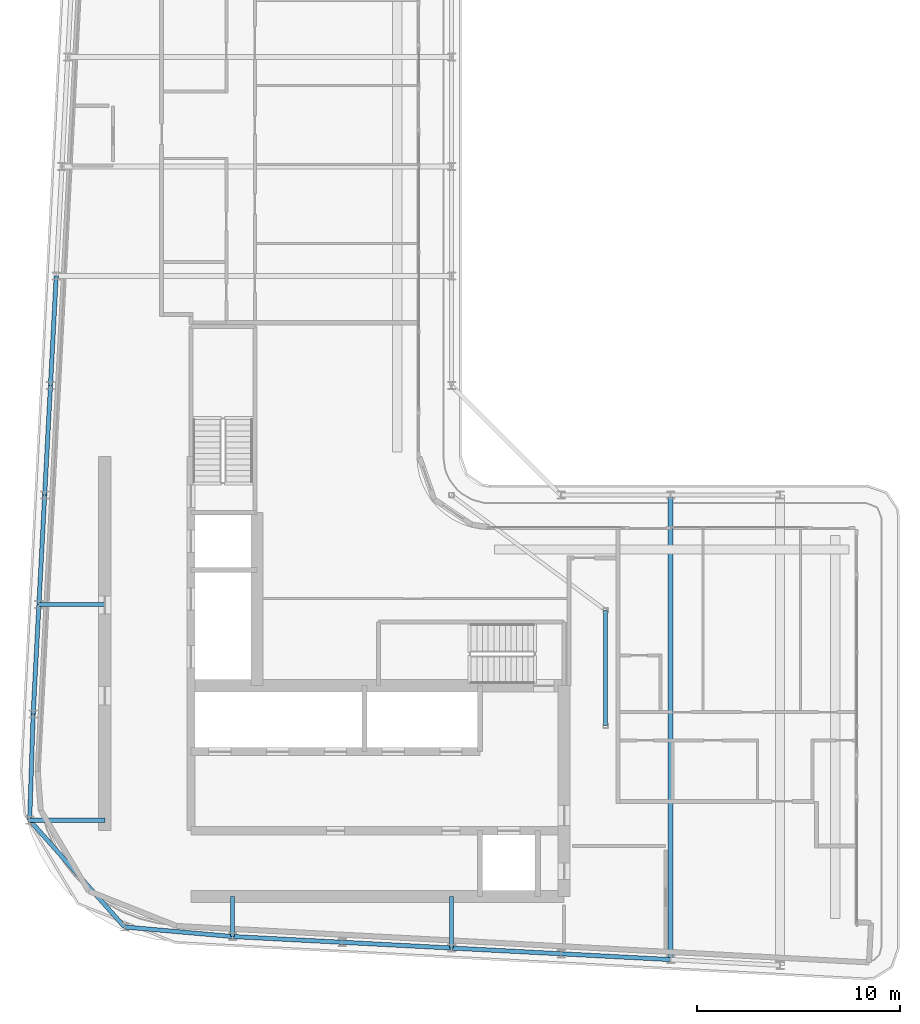
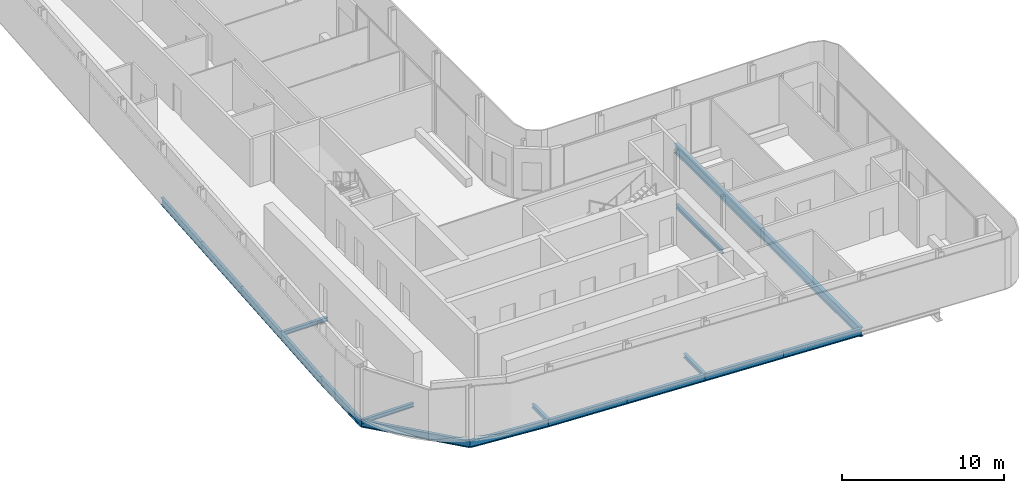
# One storey, part 5 of 21: 17 beams.
"""IFC4 building model written with IfcOpenShell, lengths in metres."""

from ifc_helpers import new_model, si_unit, direction, frame, origin, origin_2d, place, context, subcontext, project, spatial, i_section, extrude, material, material_profile, profile_set, type_object, element, save


model = new_model("IFC4")

# Units and contexts
model_context = context("Model", 3, precision=1e-05, world=origin(), true_north=direction((0.0, 1.0)))
body_context = subcontext(model_context, "Body", "Model", "MODEL_VIEW")
ifc_project = project(units=[si_unit("LENGTHUNIT", "METRE"), si_unit("AREAUNIT", "SQUARE_METRE"), si_unit("VOLUMEUNIT", "CUBIC_METRE"), si_unit("PLANEANGLEUNIT", "RADIAN"), si_unit("MASSUNIT", "GRAM", prefix="KILO")], contexts=[model_context])

# Site, building, storey
site_placement = place(None, origin())
site = spatial("IfcSite", under=ifc_project, at=site_placement, CompositionType="ELEMENT")
building_placement = place(site_placement, origin())
building = spatial("IfcBuilding", under=site, at=building_placement, Name="Kheshtan School and Residences Tower", CompositionType="ELEMENT")
storey_placement = place(building_placement, frame((0.0, 0.0, 321.5)))
storey = spatial("IfcBuildingStorey", under=building, at=storey_placement, Name="L76", CompositionType="ELEMENT", Elevation=321.5)

# Beams
ifc_material = material(Name="Steel ASTM A992 Grade 50", Category="steel")
ifc_material_profile_1 = material_profile(ifc_material, i_section(OverallWidth=0.202880859375, OverallDepth=0.302978515625, WebThickness=0.007568359375, FlangeThickness=0.01318359375, FilletRadius=0.009033203125, at=origin_2d()), Name="W310x60")
ifc_profile_set_1 = profile_set([ifc_material_profile_1], Name="Steel ASTM A992 Grade 50")
beam_type_1 = type_object("IfcBeamType", Name="Beam FB1 W310x60 ASTM A992 Grade 50", PredefinedType="BEAM", material=ifc_profile_set_1)
beam_1_placement = place(storey_placement, frame((47.60009765625, 23.263916015625, -0.301513671875), z_axis=(0.0, 1.0, 0.0), x_axis=(-1.0, 0.0, 0.0)))
element("IfcBeam", 1, at=beam_1_placement, inside=storey, type_object=beam_type_1, Name="Floor beam C020", PredefinedType="BEAM", context=body_context, shape_type="SweptSolid", body=[
    extrude(i_section(OverallWidth=0.202880859375, OverallDepth=0.302978515625, WebThickness=0.007568359375, FlangeThickness=0.01318359375, FilletRadius=0.009033203125, at=origin_2d()), origin(), (0.0, 0.0, 1.0), 2.5361328125),
])
beam_2_placement = place(storey_placement, frame((36.800048828125, 23.83203125, -0.301513671875), z_axis=(0.0, 1.0, 0.0), x_axis=(-1.0, 0.0, 0.0)))
element("IfcBeam", 2, at=beam_2_placement, inside=storey, type_object=beam_type_1, Name="Floor beam C022", PredefinedType="BEAM", context=body_context, shape_type="SweptSolid", body=[
    extrude(i_section(OverallWidth=0.202880859375, OverallDepth=0.302978515625, WebThickness=0.007568359375, FlangeThickness=0.01318359375, FilletRadius=0.009033203125, at=origin_2d()), origin(), (0.0, 0.0, 1.0), 1.968017578125),
])
beam_3_placement = place(storey_placement, frame((26.797119140625, 29.56591796875, -0.301513671875), z_axis=(1.0, 0.0, 0.0), x_axis=(0.0, 1.0, 0.0)))
element("IfcBeam", 3, at=beam_3_placement, inside=storey, type_object=beam_type_1, Name="Floor beam C044", PredefinedType="BEAM", context=body_context, shape_type="SweptSolid", body=[
    extrude(i_section(OverallWidth=0.202880859375, OverallDepth=0.302978515625, WebThickness=0.007568359375, FlangeThickness=0.01318359375, FilletRadius=0.009033203125, at=origin_2d()), origin(), (0.0, 0.0, 1.0), 3.702880859375),
])
beam_4_placement = place(storey_placement, frame((27.2529296875, 40.199951171875, -0.301513671875), z_axis=(1.0, 0.0, 0.0), x_axis=(0.0, 1.0, 0.0)))
element("IfcBeam", 4, at=beam_4_placement, inside=storey, type_object=beam_type_1, Name="Floor beam C056", PredefinedType="BEAM", context=body_context, shape_type="SweptSolid", body=[
    extrude(i_section(OverallWidth=0.202880859375, OverallDepth=0.302978515625, WebThickness=0.007568359375, FlangeThickness=0.01318359375, FilletRadius=0.009033203125, at=origin_2d()), origin(), (0.0, 0.0, 1.0), 3.2470703125),
])
beam_5_placement = place(storey_placement, frame((55.199951171875, 34.23193359375, -0.301513671875), z_axis=(0.0, 1.0, 0.0), x_axis=(-1.0, 0.0, 0.0)))
element("IfcBeam", 5, at=beam_5_placement, inside=storey, type_object=beam_type_1, Name="Floor beam IC", PredefinedType="BEAM", context=body_context, shape_type="SweptSolid", body=[
    extrude(i_section(OverallWidth=0.202880859375, OverallDepth=0.302978515625, WebThickness=0.007568359375, FlangeThickness=0.01318359375, FilletRadius=0.009033203125, at=origin_2d()), origin(), (0.0, 0.0, 1.0), 5.68408203125),
])
ifc_material_profile_2 = material_profile(ifc_material, i_section(OverallWidth=0.2529296875, OverallDepth=0.677978515625, WebThickness=0.01171875, FlangeThickness=0.016357421875, FilletRadius=0.0146484375, at=origin_2d()), Name="W690x125")
ifc_profile_set_2 = profile_set([ifc_material_profile_2], Name="Steel ASTM A992 Grade 50")
beam_type_2 = type_object("IfcBeamType", Name="Beam FB6 W690x125 ASTM A992 Grade 50", PredefinedType="BEAM", material=ifc_profile_set_2)
beam_6_placement = place(storey_placement, frame((58.39990234375, 22.695068359375, -0.489013671875), z_axis=(0.0, 1.0, 0.0), x_axis=(-1.0, 0.0, 0.0)))
element("IfcBeam", 6, at=beam_6_placement, inside=storey, type_object=beam_type_2, Name="Floor beam C018", PredefinedType="BEAM", context=body_context, shape_type="SweptSolid", body=[
    extrude(i_section(OverallWidth=0.2529296875, OverallDepth=0.677978515625, WebThickness=0.01171875, FlangeThickness=0.016357421875, FilletRadius=0.0146484375, at=origin_2d()), origin(), (0.0, 0.0, 1.0), 22.905029296875),
])
ifc_material_profile_3 = material_profile(ifc_material, i_section(OverallWidth=0.208984375, OverallDepth=0.532958984375, WebThickness=0.01025390625, FlangeThickness=0.015625, FilletRadius=0.013916015625, at=origin_2d()), Name="W530x92")
ifc_profile_set_3 = profile_set([ifc_material_profile_3], Name="Steel ASTM A992 Grade 50")
beam_type_3 = type_object("IfcBeamType", Name="Beam SP3 W530x92 ASTM A992 Grade 50", PredefinedType="BEAM", material=ifc_profile_set_3)
for number, where, z_axis, x_axis, name in (
    (7, (58.39990234375, 22.695068359375, -0.41650390625), (-0.998610961136, 0.052689166816, 0.0), (-0.052689166816, -0.998610961136, 0.0), "Spandrel beam C018-C019"),
    (8, (53.0, 22.97998046875, -0.41650390625), (-0.998620447272, 0.05250906864, 0.0), (-0.05250906864, -0.998620447272, 0.0), "Spandrel beam C019-C020"),
):
    element("IfcBeam", number, at=place(storey_placement, frame(where, z_axis=z_axis, x_axis=x_axis)), inside=storey, type_object=beam_type_3, Name=name, PredefinedType="BEAM", context=body_context, shape_type="SweptSolid", body=[
        extrude(i_section(OverallWidth=0.208984375, OverallDepth=0.532958984375, WebThickness=0.01025390625, FlangeThickness=0.015625, FilletRadius=0.013916015625, at=origin_2d()), origin(), (0.0, 0.0, 1.0), 5.407470703125),
    ])
beam_7_placement = place(storey_placement, frame((47.60009765625, 23.263916015625, -0.41650390625), z_axis=(-0.998618203458, 0.052551724256, 0.0), x_axis=(-0.052551724256, -0.998618203458, 0.0)))
element("IfcBeam", 9, at=beam_7_placement, inside=storey, type_object=beam_type_3, Name="Spandrel beam C020-C021", PredefinedType="BEAM", context=body_context, shape_type="SweptSolid", body=[
    extrude(i_section(OverallWidth=0.208984375, OverallDepth=0.532958984375, WebThickness=0.01025390625, FlangeThickness=0.015625, FilletRadius=0.013916015625, at=origin_2d()), origin(), (0.0, 0.0, 1.0), 5.40771484375),
])
beam_8_placement = place(storey_placement, frame((42.199951171875, 23.548095703125, -0.41650390625), z_axis=(-0.998620447272, 0.05250906864, 0.0), x_axis=(-0.05250906864, -0.998620447272, 0.0)))
element("IfcBeam", 10, at=beam_8_placement, inside=storey, type_object=beam_type_3, Name="Spandrel beam C021-C022", PredefinedType="BEAM", context=body_context, shape_type="SweptSolid", body=[
    extrude(i_section(OverallWidth=0.208984375, OverallDepth=0.532958984375, WebThickness=0.01025390625, FlangeThickness=0.015625, FilletRadius=0.013916015625, at=origin_2d()), origin(), (0.0, 0.0, 1.0), 5.407470703125),
])
beam_9_placement = place(storey_placement, frame((36.800048828125, 23.83203125, -0.41650390625), z_axis=(-0.996129262073, 0.087900473504, 0.0), x_axis=(-0.087900473504, -0.996129262073, 0.0)))
element("IfcBeam", 11, at=beam_9_placement, inside=storey, type_object=beam_type_3, Name="Spandrel beam C022-C031", PredefinedType="BEAM", context=body_context, shape_type="SweptSolid", body=[
    extrude(i_section(OverallWidth=0.208984375, OverallDepth=0.532958984375, WebThickness=0.01025390625, FlangeThickness=0.015625, FilletRadius=0.013916015625, at=origin_2d()), origin(), (0.0, 0.0, 1.0), 5.3466796875),
])
beam_10_placement = place(storey_placement, frame((31.47412109375, 24.302001953125, -0.41650390625), z_axis=(-0.664202421408, 0.747552769639, 0.0), x_axis=(-0.747552769639, -0.664202421408, 0.0)))
element("IfcBeam", 12, at=beam_10_placement, inside=storey, type_object=beam_type_3, Name="Spandrel beam C031-C044", PredefinedType="BEAM", context=body_context, shape_type="SweptSolid", body=[
    extrude(i_section(OverallWidth=0.208984375, OverallDepth=0.532958984375, WebThickness=0.01025390625, FlangeThickness=0.015625, FilletRadius=0.013916015625, at=origin_2d()), origin(), (0.0, 0.0, 1.0), 7.04150390625),
])
beam_11_placement = place(storey_placement, frame((26.797119140625, 29.56591796875, -0.41650390625), z_axis=(0.032819662671, 0.999461289767, 0.0), x_axis=(-0.999461289767, 0.032819662671, 0.0)))
element("IfcBeam", 13, at=beam_11_placement, inside=storey, type_object=beam_type_3, Name="Spandrel beam C044-C052", PredefinedType="BEAM", context=body_context, shape_type="SweptSolid", body=[
    extrude(i_section(OverallWidth=0.208984375, OverallDepth=0.532958984375, WebThickness=0.01025390625, FlangeThickness=0.015625, FilletRadius=0.013916015625, at=origin_2d()), origin(), (0.0, 0.0, 1.0), 5.237060546875),
])
beam_12_placement = place(storey_placement, frame((26.968994140625, 34.800048828125, -0.41650390625), z_axis=(0.05250906864, 0.998620447272, 0.0), x_axis=(-0.998620447272, 0.05250906864, 0.0)))
element("IfcBeam", 14, at=beam_12_placement, inside=storey, type_object=beam_type_3, Name="Spandrel beam C052-C056", PredefinedType="BEAM", context=body_context, shape_type="SweptSolid", body=[
    extrude(i_section(OverallWidth=0.208984375, OverallDepth=0.532958984375, WebThickness=0.01025390625, FlangeThickness=0.015625, FilletRadius=0.013916015625, at=origin_2d()), origin(), (0.0, 0.0, 1.0), 5.407470703125),
])
beam_13_placement = place(storey_placement, frame((27.2529296875, 40.199951171875, -0.41650390625), z_axis=(0.052551724256, 0.998618203458, 0.0), x_axis=(-0.998618203458, 0.052551724256, 0.0)))
element("IfcBeam", 15, at=beam_13_placement, inside=storey, type_object=beam_type_3, Name="Spandrel beam C056-C059", PredefinedType="BEAM", context=body_context, shape_type="SweptSolid", body=[
    extrude(i_section(OverallWidth=0.208984375, OverallDepth=0.532958984375, WebThickness=0.01025390625, FlangeThickness=0.015625, FilletRadius=0.013916015625, at=origin_2d()), origin(), (0.0, 0.0, 1.0), 5.40771484375),
])
for number, where, z_axis, x_axis, name in (
    (16, (27.537109375, 45.60009765625, -0.41650390625), (0.052689166816, 0.998610961136, 0.0), (-0.998610961136, 0.052689166816, 0.0), "Spandrel beam C059-C078"),
    (17, (27.822021484375, 51.0, -0.41650390625), (0.05250906864, 0.998620447272, 0.0), (-0.998620447272, 0.05250906864, 0.0), "Spandrel beam C078-C080"),
):
    element("IfcBeam", number, at=place(storey_placement, frame(where, z_axis=z_axis, x_axis=x_axis)), inside=storey, type_object=beam_type_3, Name=name, PredefinedType="BEAM", context=body_context, shape_type="SweptSolid", body=[
        extrude(i_section(OverallWidth=0.208984375, OverallDepth=0.532958984375, WebThickness=0.01025390625, FlangeThickness=0.015625, FilletRadius=0.013916015625, at=origin_2d()), origin(), (0.0, 0.0, 1.0), 5.407470703125),
    ])

save(model, "model.ifc")
